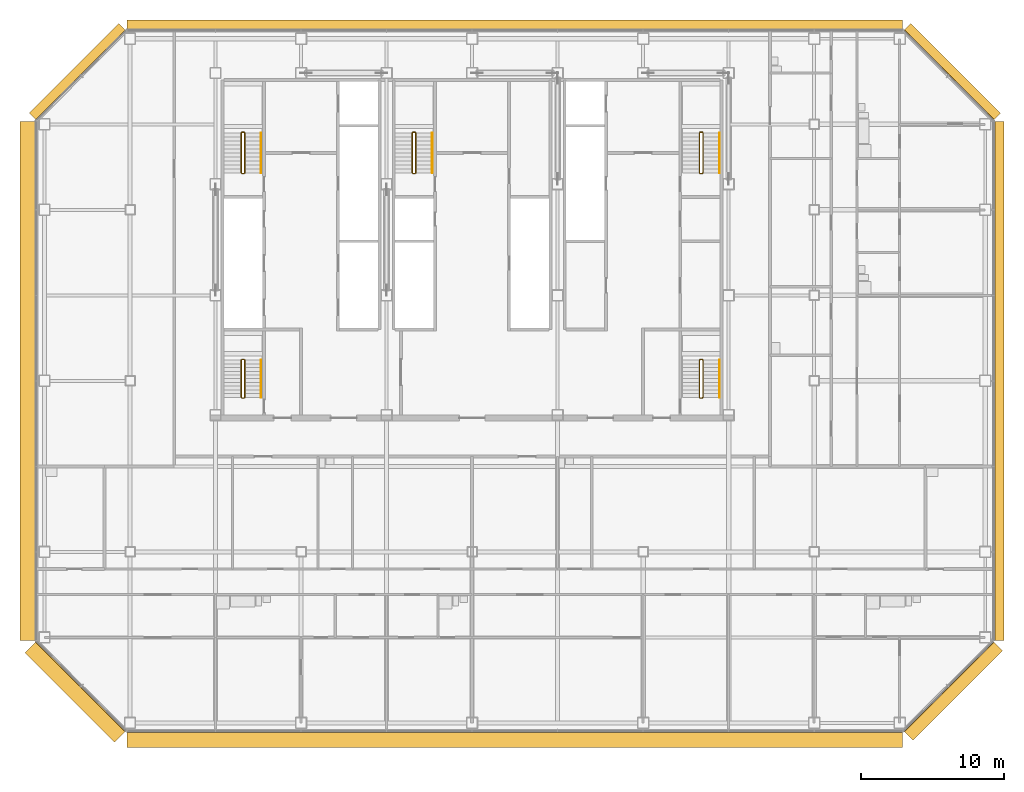
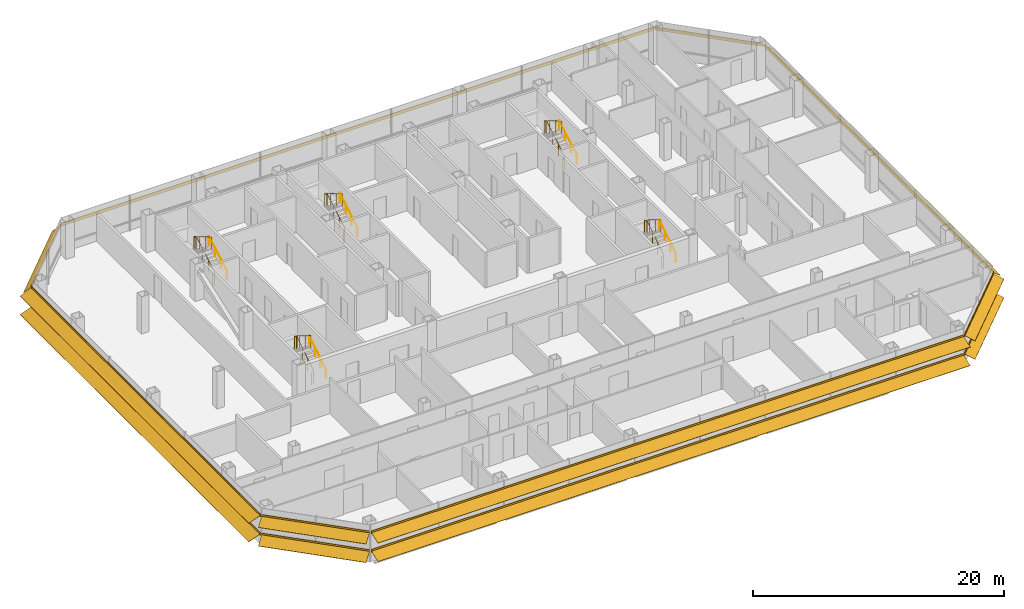
# One storey, part 24 of 25: 10 railings, 8 shading devices.
"""IFC4 building model written with IfcOpenShell, lengths in metres."""

from ifc_helpers import new_model, si_unit, direction, frame, origin, origin_2d, place, context, subcontext, project, spatial, polyline, circle, outline, composite_profile, extrude, material, type_object, element, save


model = new_model("IFC4")

# Units and contexts
model_context = context("Model", 3, precision=1e-05, world=origin(), true_north=direction((0.0, 1.0)))
body_context = subcontext(model_context, "Body", "Model", "MODEL_VIEW")
ifc_project = project(units=[si_unit("LENGTHUNIT", "METRE"), si_unit("AREAUNIT", "SQUARE_METRE"), si_unit("VOLUMEUNIT", "CUBIC_METRE"), si_unit("PLANEANGLEUNIT", "RADIAN"), si_unit("MASSUNIT", "GRAM", prefix="KILO")], contexts=[model_context])

# Site, building, storey
site_placement = place(None, origin())
site = spatial("IfcSite", under=ifc_project, at=site_placement, CompositionType="ELEMENT")
building_placement = place(site_placement, origin())
building = spatial("IfcBuilding", under=site, at=building_placement, Name="Sorahane Residences", CompositionType="ELEMENT")
storey_placement = place(building_placement, frame((0.0, 0.0, 143.800048828125)))
storey = spatial("IfcBuildingStorey", under=building, at=storey_placement, Name="L32", CompositionType="ELEMENT", Elevation=143.800048828125)

# Shading devices
ifc_material_1 = material(Name="Terracotta anodised aluminium", Category="masonry")
shading_device_type_1 = type_object("IfcShadingDeviceType", Name="Louvre sunshade blade E terracotta aluminium 700", PredefinedType="JALOUSIE", material=ifc_material_1)
shading_device_1_placement = place(storey_placement, frame((60.60009765625, 5.801513671875, 2.699951171875), z_axis=(0.0, 1.0, 0.0), x_axis=(-1.0, 0.0, 0.0)))
element("IfcShadingDevice", 1, at=shading_device_1_placement, inside=storey, type_object=shading_device_type_1, Name="Louvre sunshade blade bank E L32 E1", PredefinedType="JALOUSIE", context=body_context, shape_type="SweptSolid", body=[
    extrude(outline(polyline([(-0.719970703125, -0.49365234375), (-0.719970703125, -0.523681640625), (-0.080078125, -0.05859375), (-0.080078125, -0.14990234375), (-0.02001953125, -0.14990234375), (-0.02001953125, -0.014892578125), (-0.02001953125, 0.014892578125), (-0.02001953125, 0.14990234375), (-0.080078125, 0.14990234375), (-0.080078125, -0.028564453125), (-0.719970703125, -0.49365234375)])), origin(), (0.0, 0.0, 1.0), 36.39697265625),
])
ifc_material_2 = material(Name="Terracotta anodised aluminium", Category="masonry")
shading_device_type_2 = type_object("IfcShadingDeviceType", Name="Louvre sunshade blade N terracotta aluminium 700", PredefinedType="JALOUSIE", material=ifc_material_2)
shading_device_2_placement = place(storey_placement, frame((54.198486328125, 48.60009765625, 2.699951171875), z_axis=(-1.0, 0.0, 0.0), x_axis=(0.0, -1.0, 0.0)))
element("IfcShadingDevice", 2, at=shading_device_2_placement, inside=storey, type_object=shading_device_type_2, Name="Louvre sunshade blade bank N L32 N1", PredefinedType="JALOUSIE", context=body_context, shape_type="SweptSolid", body=[
    extrude(outline(polyline([(-0.719970703125, -0.660888671875), (-0.719970703125, -0.69091796875), (-0.080078125, -0.072998046875), (-0.080078125, -0.14990234375), (-0.02001953125, -0.14990234375), (-0.02001953125, -0.014892578125), (-0.02001953125, 0.014892578125), (-0.02001953125, 0.14990234375), (-0.080078125, 0.14990234375), (-0.080078125, -0.04296875), (-0.719970703125, -0.660888671875)])), origin(), (0.0, 0.0, 1.0), 54.39697265625),
])
ifc_material_3 = material(Name="Terracotta anodised aluminium", Category="masonry")
shading_device_type_3 = type_object("IfcShadingDeviceType", Name="Louvre sunshade blade NE terracotta aluminium 700", PredefinedType="JALOUSIE", material=ifc_material_3)
shading_device_3_placement = place(storey_placement, frame((60.564697265625, 42.283935546875, 2.699951171875), z_axis=(-0.707106781187, 0.707106781187, 0.0), x_axis=(-0.707106781187, -0.707106781187, 0.0)))
element("IfcShadingDevice", 3, at=shading_device_3_placement, inside=storey, type_object=shading_device_type_3, Name="Louvre sunshade blade bank NE L32 NE1", PredefinedType="JALOUSIE", context=body_context, shape_type="SweptSolid", body=[
    extrude(outline(polyline([(-0.719970703125, -0.572509765625), (-0.719970703125, -0.602294921875), (-0.080078125, -0.065185546875), (-0.080078125, -0.14990234375), (-0.02001953125, -0.14990234375), (-0.02001953125, -0.014892578125), (-0.02001953125, 0.014892578125), (-0.02001953125, 0.14990234375), (-0.080078125, 0.14990234375), (-0.080078125, -0.035400390625), (-0.719970703125, -0.572509765625)])), origin(), (0.0, 0.0, 1.0), 8.88232421875),
])
ifc_material_4 = material(Name="Terracotta anodised aluminium", Category="masonry")
shading_device_type_4 = type_object("IfcShadingDeviceType", Name="Louvre sunshade blade NW terracotta aluminium 700", PredefinedType="JALOUSIE", material=ifc_material_4)
shading_device_4_placement = place(storey_placement, frame((-0.283935546875, 48.564697265625, 2.699951171875), z_axis=(-0.707106781187, -0.707106781187, 0.0), x_axis=(0.707106781187, -0.707106781187, 0.0)))
element("IfcShadingDevice", 4, at=shading_device_4_placement, inside=storey, type_object=shading_device_type_4, Name="Louvre sunshade blade bank NW L32 NW1", PredefinedType="JALOUSIE", context=body_context, shape_type="SweptSolid", body=[
    extrude(outline(polyline([(-0.719970703125, -0.660888671875), (-0.719970703125, -0.69091796875), (-0.080078125, -0.072998046875), (-0.080078125, -0.14990234375), (-0.02001953125, -0.14990234375), (-0.02001953125, -0.014892578125), (-0.02001953125, 0.014892578125), (-0.02001953125, 0.14990234375), (-0.080078125, 0.14990234375), (-0.080078125, -0.04296875), (-0.719970703125, -0.660888671875)])), origin(), (0.0, 0.0, 1.0), 8.88232421875),
])
ifc_material_5 = material(Name="Terracotta anodised aluminium", Category="masonry")
shading_device_type_5 = type_object("IfcShadingDeviceType", Name="Louvre sunshade blade S terracotta aluminium 1100", PredefinedType="JALOUSIE", material=ifc_material_5)
shading_device_5_placement = place(storey_placement, frame((-0.198486328125, -0.60009765625, 0.89990234375), z_axis=(1.0, 0.0, 0.0), x_axis=(0.0, 1.0, 0.0)))
element("IfcShadingDevice", 5, at=shading_device_5_placement, inside=storey, type_object=shading_device_type_5, Name="Louvre sunshade blade bank S L32 S1", PredefinedType="JALOUSIE", context=body_context, shape_type="SweptSolid", body=[
    extrude(composite_profile([outline(polyline([(-1.1201171875, -0.385498046875), (-1.1201171875, -0.415283203125), (-0.080078125, -0.036865234375), (-0.080078125, -0.14990234375), (-0.02001953125, -0.14990234375), (-0.02001953125, -0.014892578125), (-0.02001953125, 0.014892578125), (-0.02001953125, 0.14990234375), (-0.080078125, 0.14990234375), (-0.080078125, -0.0068359375), (-1.1201171875, -0.385498046875)])), outline(polyline([(-1.1201171875, 1.41455078125), (-1.1201171875, 1.384521484375), (-0.080078125, 1.76318359375), (-0.080078125, 1.64990234375), (-0.02001953125, 1.64990234375), (-0.02001953125, 1.784912109375), (-0.02001953125, 1.81494140625), (-0.02001953125, 1.949951171875), (-0.080078125, 1.949951171875), (-0.080078125, 1.793212890625), (-1.1201171875, 1.41455078125)]))]), origin(), (0.0, 0.0, 1.0), 54.39697265625),
])
ifc_material_6 = material(Name="Terracotta anodised aluminium", Category="masonry")
shading_device_type_6 = type_object("IfcShadingDeviceType", Name="Louvre sunshade blade SE terracotta aluminium 900", PredefinedType="JALOUSIE", material=ifc_material_6)
shading_device_6_placement = place(storey_placement, frame((54.283935546875, -0.564697265625, 0.89990234375), z_axis=(0.707106781187, 0.707106781187, 0.0), x_axis=(-0.707106781187, 0.707106781187, 0.0)))
element("IfcShadingDevice", 6, at=shading_device_6_placement, inside=storey, type_object=shading_device_type_6, Name="Louvre sunshade blade bank SE L32 SE1", PredefinedType="JALOUSIE", context=body_context, shape_type="SweptSolid", body=[
    extrude(composite_profile([outline(polyline([(-0.919921875, -0.3486328125), (-0.919921875, -0.378662109375), (-0.080078125, -0.039306640625), (-0.080078125, -0.14990234375), (-0.02001953125, -0.14990234375), (-0.02001953125, -0.014892578125), (-0.02001953125, 0.014892578125), (-0.02001953125, 0.14990234375), (-0.080078125, 0.14990234375), (-0.080078125, -0.00927734375), (-0.919921875, -0.3486328125)])), outline(polyline([(-0.919921875, 1.451416015625), (-0.919921875, 1.42138671875), (-0.080078125, 1.7607421875), (-0.080078125, 1.64990234375), (-0.02001953125, 1.64990234375), (-0.02001953125, 1.784912109375), (-0.02001953125, 1.81494140625), (-0.02001953125, 1.949951171875), (-0.080078125, 1.949951171875), (-0.080078125, 1.790771484375), (-0.919921875, 1.451416015625)]))]), origin(), (0.0, 0.0, 1.0), 8.88232421875),
])
ifc_material_7 = material(Name="Terracotta anodised aluminium", Category="masonry")
shading_device_type_7 = type_object("IfcShadingDeviceType", Name="Louvre sunshade blade SW terracotta aluminium 1100", PredefinedType="JALOUSIE", material=ifc_material_7)
shading_device_7_placement = place(storey_placement, frame((-6.564697265625, 5.716064453125, 0.89990234375), z_axis=(0.707106781187, -0.707106781187, 0.0), x_axis=(0.707106781187, 0.707106781187, 0.0)))
element("IfcShadingDevice", 7, at=shading_device_7_placement, inside=storey, type_object=shading_device_type_7, Name="Louvre sunshade blade bank SW L32 SW1", PredefinedType="JALOUSIE", context=body_context, shape_type="SweptSolid", body=[
    extrude(composite_profile([outline(polyline([(-1.1201171875, -0.385498046875), (-1.1201171875, -0.415283203125), (-0.080078125, -0.036865234375), (-0.080078125, -0.14990234375), (-0.02001953125, -0.14990234375), (-0.02001953125, -0.014892578125), (-0.02001953125, 0.014892578125), (-0.02001953125, 0.14990234375), (-0.080078125, 0.14990234375), (-0.080078125, -0.0068359375), (-1.1201171875, -0.385498046875)])), outline(polyline([(-1.1201171875, 1.41455078125), (-1.1201171875, 1.384521484375), (-0.080078125, 1.76318359375), (-0.080078125, 1.64990234375), (-0.02001953125, 1.64990234375), (-0.02001953125, 1.784912109375), (-0.02001953125, 1.81494140625), (-0.02001953125, 1.949951171875), (-0.080078125, 1.949951171875), (-0.080078125, 1.793212890625), (-1.1201171875, 1.41455078125)]))]), origin(), (0.0, 0.0, 1.0), 8.88232421875),
])
ifc_material_8 = material(Name="Terracotta anodised aluminium", Category="masonry")
shading_device_type_8 = type_object("IfcShadingDeviceType", Name="Louvre sunshade blade W terracotta aluminium 1100", PredefinedType="JALOUSIE", material=ifc_material_8)
shading_device_8_placement = place(storey_placement, frame((-6.60009765625, 42.198486328125, 0.89990234375), z_axis=(0.0, -1.0, 0.0), x_axis=(1.0, 0.0, 0.0)))
element("IfcShadingDevice", 8, at=shading_device_8_placement, inside=storey, type_object=shading_device_type_8, Name="Louvre sunshade blade bank W L32 W1", PredefinedType="JALOUSIE", context=body_context, shape_type="SweptSolid", body=[
    extrude(composite_profile([outline(polyline([(-1.1201171875, -0.385498046875), (-1.1201171875, -0.415283203125), (-0.080078125, -0.036865234375), (-0.080078125, -0.14990234375), (-0.02001953125, -0.14990234375), (-0.02001953125, -0.014892578125), (-0.02001953125, 0.014892578125), (-0.02001953125, 0.14990234375), (-0.080078125, 0.14990234375), (-0.080078125, -0.0068359375), (-1.1201171875, -0.385498046875)])), outline(polyline([(-1.1201171875, 1.41455078125), (-1.1201171875, 1.384521484375), (-0.080078125, 1.76318359375), (-0.080078125, 1.64990234375), (-0.02001953125, 1.64990234375), (-0.02001953125, 1.784912109375), (-0.02001953125, 1.81494140625), (-0.02001953125, 1.949951171875), (-0.080078125, 1.949951171875), (-0.080078125, 1.793212890625), (-1.1201171875, 1.41455078125)]))]), origin(), (0.0, 0.0, 1.0), 36.39697265625),
])

# Railings
ifc_material_9 = material(Name="Steel Q355B", Category="steel")
railing_type_1 = type_object("IfcRailingType", Name="Stair guard 1200 Steel Q355B", PredefinedType="GUARDRAIL", material=ifc_material_9)
railing_1_placement = place(storey_placement, frame((7.85009765625, 38.550048828125, 0.0)))
element("IfcRailing", 9, at=railing_1_placement, inside=storey, type_object=railing_type_1, Name="L32 S1 stair guard 1", PredefinedType="GUARDRAIL", context=body_context, shape_type="SweptSolid", body=[
    extrude(circle(Radius=0.02392578125, at=origin_2d()), frame((0.0, 0.0, 1.17578125), z_axis=(1.0, 0.0, 0.0), x_axis=(0.0, 1.0, 0.0)), (0.0, 0.0, 1.0), 0.14990234375),
    extrude(circle(Radius=0.02392578125, at=origin_2d()), frame((0.14990234375, 0.0, 1.17578125), z_axis=(0.280808744504, 0.280808744504, 0.917765164963), x_axis=(-0.707106781187, 0.707106781187, 0.0)), (0.0, 0.0, 1.0), 0.17822265625),
    extrude(circle(Radius=0.02392578125, at=origin_2d()), frame((0.199951171875, 0.050048828125, 1.33935546875), z_axis=(0.0, 0.863341702679, 0.504619762213), x_axis=(-1.0, 0.0, 0.0)), (0.0, 0.0, 1.0), 3.242919921875),
    extrude(circle(Radius=0.02392578125, at=origin_2d()), frame((0.199951171875, 2.849853515625, 2.97607421875), z_axis=(-0.707106781187, 0.707106781187, 0.0), x_axis=(-0.707106781187, -0.707106781187, 0.0)), (0.0, 0.0, 1.0), 0.07080078125),
    extrude(circle(Radius=0.02392578125, at=origin_2d()), frame((0.14990234375, 2.89990234375, 2.97607421875), z_axis=(-1.0, 0.0, 0.0), x_axis=(0.0, -1.0, 0.0)), (0.0, 0.0, 1.0), 0.14990234375),
    extrude(circle(Radius=0.02392578125, at=origin_2d()), frame((0.0, 2.89990234375, 2.97607421875), z_axis=(-0.280808744504, -0.280808744504, 0.917765164963), x_axis=(0.707106781187, -0.707106781187, 0.0)), (0.0, 0.0, 1.0), 0.17822265625),
    extrude(circle(Radius=0.02392578125, at=origin_2d()), frame((-0.050048828125, 2.849853515625, 3.1396484375), z_axis=(0.0, -0.863374499697, 0.504563646405), x_axis=(1.0, 0.0, 0.0)), (0.0, 0.0, 1.0), 3.242919921875),
    extrude(circle(Radius=0.02099609375, at=origin_2d()), origin(), (0.0, 0.0, 1.0), 1.15185546875),
    extrude(circle(Radius=0.02099609375, at=origin_2d()), frame((0.14990234375, 0.0, 0.0)), (0.0, 0.0, 1.0), 1.15185546875),
    extrude(circle(Radius=0.02099609375, at=origin_2d()), frame((0.199951171875, 0.050048828125, 0.16357421875)), (0.0, 0.0, 1.0), 1.15185546875),
    extrude(circle(Radius=0.02099609375, at=origin_2d()), frame((0.199951171875, 0.9833984375, 0.708984375)), (0.0, 0.0, 1.0), 1.15185546875),
    extrude(circle(Radius=0.02099609375, at=origin_2d()), frame((0.199951171875, 1.91650390625, 1.254638671875)), (0.0, 0.0, 1.0), 1.15185546875),
    extrude(circle(Radius=0.02099609375, at=origin_2d()), frame((0.199951171875, 2.849853515625, 1.800048828125)), (0.0, 0.0, 1.0), 1.15185546875),
    extrude(circle(Radius=0.02099609375, at=origin_2d()), frame((0.14990234375, 2.89990234375, 1.800048828125)), (0.0, 0.0, 1.0), 1.15185546875),
    extrude(circle(Radius=0.02099609375, at=origin_2d()), frame((0.0, 2.89990234375, 1.800048828125)), (0.0, 0.0, 1.0), 1.15185546875),
    extrude(circle(Radius=0.02099609375, at=origin_2d()), frame((-0.050048828125, 2.849853515625, 1.963623046875)), (0.0, 0.0, 1.0), 1.15185546875),
    extrude(circle(Radius=0.02099609375, at=origin_2d()), frame((-0.050048828125, 1.91650390625, 2.509033203125)), (0.0, 0.0, 1.0), 1.15185546875),
    extrude(circle(Radius=0.02099609375, at=origin_2d()), frame((-0.050048828125, 0.9833984375, 3.054443359375)), (0.0, 0.0, 1.0), 1.15185546875),
    extrude(circle(Radius=0.02099609375, at=origin_2d()), frame((-0.050048828125, 0.050048828125, 3.599853515625)), (0.0, 0.0, 1.0), 1.15185546875),
])
railing_2_placement = place(storey_placement, frame((40.0, 38.550048828125, 0.0)))
element("IfcRailing", 10, at=railing_2_placement, inside=storey, type_object=railing_type_1, Name="L32 S2 stair guard 1", PredefinedType="GUARDRAIL", context=body_context, shape_type="SweptSolid", body=[
    extrude(circle(Radius=0.02392578125, at=origin_2d()), frame((0.0, 0.0, 1.17578125), z_axis=(1.0, 0.0, 0.0), x_axis=(0.0, 1.0, 0.0)), (0.0, 0.0, 1.0), 0.14990234375),
    extrude(circle(Radius=0.02392578125, at=origin_2d()), frame((0.14990234375, 0.0, 1.17578125), z_axis=(0.280808744504, 0.280808744504, 0.917765164963), x_axis=(-0.707106781187, 0.707106781187, 0.0)), (0.0, 0.0, 1.0), 0.17822265625),
    extrude(circle(Radius=0.02392578125, at=origin_2d()), frame((0.199951171875, 0.050048828125, 1.33935546875), z_axis=(0.0, 0.863341702679, 0.504619762213), x_axis=(-1.0, 0.0, 0.0)), (0.0, 0.0, 1.0), 3.242919921875),
    extrude(circle(Radius=0.02392578125, at=origin_2d()), frame((0.199951171875, 2.849853515625, 2.97607421875), z_axis=(-0.707106781187, 0.707106781187, 0.0), x_axis=(-0.707106781187, -0.707106781187, 0.0)), (0.0, 0.0, 1.0), 0.07080078125),
    extrude(circle(Radius=0.02392578125, at=origin_2d()), frame((0.14990234375, 2.89990234375, 2.97607421875), z_axis=(-1.0, 0.0, 0.0), x_axis=(0.0, -1.0, 0.0)), (0.0, 0.0, 1.0), 0.14990234375),
    extrude(circle(Radius=0.02392578125, at=origin_2d()), frame((0.0, 2.89990234375, 2.97607421875), z_axis=(-0.280808744504, -0.280808744504, 0.917765164963), x_axis=(0.707106781187, -0.707106781187, 0.0)), (0.0, 0.0, 1.0), 0.17822265625),
    extrude(circle(Radius=0.02392578125, at=origin_2d()), frame((-0.050048828125, 2.849853515625, 3.1396484375), z_axis=(0.0, -0.863374499697, 0.504563646405), x_axis=(1.0, 0.0, 0.0)), (0.0, 0.0, 1.0), 3.242919921875),
    extrude(circle(Radius=0.02099609375, at=origin_2d()), origin(), (0.0, 0.0, 1.0), 1.15185546875),
    extrude(circle(Radius=0.02099609375, at=origin_2d()), frame((0.14990234375, 0.0, 0.0)), (0.0, 0.0, 1.0), 1.15185546875),
    extrude(circle(Radius=0.02099609375, at=origin_2d()), frame((0.199951171875, 0.050048828125, 0.16357421875)), (0.0, 0.0, 1.0), 1.15185546875),
    extrude(circle(Radius=0.02099609375, at=origin_2d()), frame((0.199951171875, 0.9833984375, 0.708984375)), (0.0, 0.0, 1.0), 1.15185546875),
    extrude(circle(Radius=0.02099609375, at=origin_2d()), frame((0.199951171875, 1.91650390625, 1.254638671875)), (0.0, 0.0, 1.0), 1.15185546875),
    extrude(circle(Radius=0.02099609375, at=origin_2d()), frame((0.199951171875, 2.849853515625, 1.800048828125)), (0.0, 0.0, 1.0), 1.15185546875),
    extrude(circle(Radius=0.02099609375, at=origin_2d()), frame((0.14990234375, 2.89990234375, 1.800048828125)), (0.0, 0.0, 1.0), 1.15185546875),
    extrude(circle(Radius=0.02099609375, at=origin_2d()), frame((0.0, 2.89990234375, 1.800048828125)), (0.0, 0.0, 1.0), 1.15185546875),
    extrude(circle(Radius=0.02099609375, at=origin_2d()), frame((-0.050048828125, 2.849853515625, 1.963623046875)), (0.0, 0.0, 1.0), 1.15185546875),
    extrude(circle(Radius=0.02099609375, at=origin_2d()), frame((-0.050048828125, 1.91650390625, 2.509033203125)), (0.0, 0.0, 1.0), 1.15185546875),
    extrude(circle(Radius=0.02099609375, at=origin_2d()), frame((-0.050048828125, 0.9833984375, 3.054443359375)), (0.0, 0.0, 1.0), 1.15185546875),
    extrude(circle(Radius=0.02099609375, at=origin_2d()), frame((-0.050048828125, 0.050048828125, 3.599853515625)), (0.0, 0.0, 1.0), 1.15185546875),
])
railing_3_placement = place(storey_placement, frame((19.85009765625, 38.550048828125, 0.0)))
element("IfcRailing", 11, at=railing_3_placement, inside=storey, type_object=railing_type_1, Name="L32 S3 stair guard 1", PredefinedType="GUARDRAIL", context=body_context, shape_type="SweptSolid", body=[
    extrude(circle(Radius=0.02392578125, at=origin_2d()), frame((0.0, 0.0, 1.17578125), z_axis=(1.0, 0.0, 0.0), x_axis=(0.0, 1.0, 0.0)), (0.0, 0.0, 1.0), 0.14990234375),
    extrude(circle(Radius=0.02392578125, at=origin_2d()), frame((0.14990234375, 0.0, 1.17578125), z_axis=(0.280808744504, 0.280808744504, 0.917765164963), x_axis=(-0.707106781187, 0.707106781187, 0.0)), (0.0, 0.0, 1.0), 0.17822265625),
    extrude(circle(Radius=0.02392578125, at=origin_2d()), frame((0.199951171875, 0.050048828125, 1.33935546875), z_axis=(0.0, 0.863341702679, 0.504619762213), x_axis=(-1.0, 0.0, 0.0)), (0.0, 0.0, 1.0), 3.242919921875),
    extrude(circle(Radius=0.02392578125, at=origin_2d()), frame((0.199951171875, 2.849853515625, 2.97607421875), z_axis=(-0.707106781187, 0.707106781187, 0.0), x_axis=(-0.707106781187, -0.707106781187, 0.0)), (0.0, 0.0, 1.0), 0.07080078125),
    extrude(circle(Radius=0.02392578125, at=origin_2d()), frame((0.14990234375, 2.89990234375, 2.97607421875), z_axis=(-1.0, 0.0, 0.0), x_axis=(0.0, -1.0, 0.0)), (0.0, 0.0, 1.0), 0.14990234375),
    extrude(circle(Radius=0.02392578125, at=origin_2d()), frame((0.0, 2.89990234375, 2.97607421875), z_axis=(-0.280808744504, -0.280808744504, 0.917765164963), x_axis=(0.707106781187, -0.707106781187, 0.0)), (0.0, 0.0, 1.0), 0.17822265625),
    extrude(circle(Radius=0.02392578125, at=origin_2d()), frame((-0.050048828125, 2.849853515625, 3.1396484375), z_axis=(0.0, -0.863374499697, 0.504563646405), x_axis=(1.0, 0.0, 0.0)), (0.0, 0.0, 1.0), 3.242919921875),
    extrude(circle(Radius=0.02099609375, at=origin_2d()), origin(), (0.0, 0.0, 1.0), 1.15185546875),
    extrude(circle(Radius=0.02099609375, at=origin_2d()), frame((0.14990234375, 0.0, 0.0)), (0.0, 0.0, 1.0), 1.15185546875),
    extrude(circle(Radius=0.02099609375, at=origin_2d()), frame((0.199951171875, 0.050048828125, 0.16357421875)), (0.0, 0.0, 1.0), 1.15185546875),
    extrude(circle(Radius=0.02099609375, at=origin_2d()), frame((0.199951171875, 0.9833984375, 0.708984375)), (0.0, 0.0, 1.0), 1.15185546875),
    extrude(circle(Radius=0.02099609375, at=origin_2d()), frame((0.199951171875, 1.91650390625, 1.254638671875)), (0.0, 0.0, 1.0), 1.15185546875),
    extrude(circle(Radius=0.02099609375, at=origin_2d()), frame((0.199951171875, 2.849853515625, 1.800048828125)), (0.0, 0.0, 1.0), 1.15185546875),
    extrude(circle(Radius=0.02099609375, at=origin_2d()), frame((0.14990234375, 2.89990234375, 1.800048828125)), (0.0, 0.0, 1.0), 1.15185546875),
    extrude(circle(Radius=0.02099609375, at=origin_2d()), frame((0.0, 2.89990234375, 1.800048828125)), (0.0, 0.0, 1.0), 1.15185546875),
    extrude(circle(Radius=0.02099609375, at=origin_2d()), frame((-0.050048828125, 2.849853515625, 1.963623046875)), (0.0, 0.0, 1.0), 1.15185546875),
    extrude(circle(Radius=0.02099609375, at=origin_2d()), frame((-0.050048828125, 1.91650390625, 2.509033203125)), (0.0, 0.0, 1.0), 1.15185546875),
    extrude(circle(Radius=0.02099609375, at=origin_2d()), frame((-0.050048828125, 0.9833984375, 3.054443359375)), (0.0, 0.0, 1.0), 1.15185546875),
    extrude(circle(Radius=0.02099609375, at=origin_2d()), frame((-0.050048828125, 0.050048828125, 3.599853515625)), (0.0, 0.0, 1.0), 1.15185546875),
])
railing_4_placement = place(storey_placement, frame((7.85009765625, 22.800048828125, 0.0)))
element("IfcRailing", 12, at=railing_4_placement, inside=storey, type_object=railing_type_1, Name="L32 S4 stair guard 1", PredefinedType="GUARDRAIL", context=body_context, shape_type="SweptSolid", body=[
    extrude(circle(Radius=0.02392578125, at=origin_2d()), frame((0.0, 0.0, 1.17578125), z_axis=(1.0, 0.0, 0.0), x_axis=(0.0, 1.0, 0.0)), (0.0, 0.0, 1.0), 0.14990234375),
    extrude(circle(Radius=0.02392578125, at=origin_2d()), frame((0.14990234375, 0.0, 1.17578125), z_axis=(0.280808744504, 0.280808744504, 0.917765164963), x_axis=(-0.707106781187, 0.707106781187, 0.0)), (0.0, 0.0, 1.0), 0.17822265625),
    extrude(circle(Radius=0.02392578125, at=origin_2d()), frame((0.199951171875, 0.050048828125, 1.33935546875), z_axis=(0.0, 0.846301844409, 0.532703658848), x_axis=(-1.0, 0.0, 0.0)), (0.0, 0.0, 1.0), 3.072021484375),
    extrude(circle(Radius=0.02392578125, at=origin_2d()), frame((0.199951171875, 2.64990234375, 2.97607421875), z_axis=(-0.707106781187, 0.707106781187, 0.0), x_axis=(-0.707106781187, -0.707106781187, 0.0)), (0.0, 0.0, 1.0), 0.07080078125),
    extrude(circle(Radius=0.02392578125, at=origin_2d()), frame((0.14990234375, 2.699951171875, 2.97607421875), z_axis=(-1.0, 0.0, 0.0), x_axis=(0.0, -1.0, 0.0)), (0.0, 0.0, 1.0), 0.14990234375),
    extrude(circle(Radius=0.02392578125, at=origin_2d()), frame((0.0, 2.699951171875, 2.97607421875), z_axis=(-0.280808744504, -0.280808744504, 0.917765164963), x_axis=(0.707106781187, -0.707106781187, 0.0)), (0.0, 0.0, 1.0), 0.17822265625),
    extrude(circle(Radius=0.02392578125, at=origin_2d()), frame((-0.050048828125, 2.64990234375, 3.1396484375), z_axis=(0.0, -0.846337672412, 0.532646734952), x_axis=(1.0, 0.0, 0.0)), (0.0, 0.0, 1.0), 3.07177734375),
    extrude(circle(Radius=0.02099609375, at=origin_2d()), origin(), (0.0, 0.0, 1.0), 1.15185546875),
    extrude(circle(Radius=0.02099609375, at=origin_2d()), frame((0.14990234375, 0.0, 0.0)), (0.0, 0.0, 1.0), 1.15185546875),
    extrude(circle(Radius=0.02099609375, at=origin_2d()), frame((0.199951171875, 0.050048828125, 0.16357421875)), (0.0, 0.0, 1.0), 1.15185546875),
    extrude(circle(Radius=0.02099609375, at=origin_2d()), frame((0.199951171875, 0.916748046875, 0.708984375)), (0.0, 0.0, 1.0), 1.15185546875),
    extrude(circle(Radius=0.02099609375, at=origin_2d()), frame((0.199951171875, 1.783203125, 1.254638671875)), (0.0, 0.0, 1.0), 1.15185546875),
    extrude(circle(Radius=0.02099609375, at=origin_2d()), frame((0.199951171875, 2.64990234375, 1.800048828125)), (0.0, 0.0, 1.0), 1.15185546875),
    extrude(circle(Radius=0.02099609375, at=origin_2d()), frame((0.14990234375, 2.699951171875, 1.800048828125)), (0.0, 0.0, 1.0), 1.15185546875),
    extrude(circle(Radius=0.02099609375, at=origin_2d()), frame((0.0, 2.699951171875, 1.800048828125)), (0.0, 0.0, 1.0), 1.15185546875),
    extrude(circle(Radius=0.02099609375, at=origin_2d()), frame((-0.050048828125, 2.64990234375, 1.963623046875)), (0.0, 0.0, 1.0), 1.15185546875),
    extrude(circle(Radius=0.02099609375, at=origin_2d()), frame((-0.050048828125, 1.783203125, 2.509033203125)), (0.0, 0.0, 1.0), 1.15185546875),
    extrude(circle(Radius=0.02099609375, at=origin_2d()), frame((-0.050048828125, 0.916748046875, 3.054443359375)), (0.0, 0.0, 1.0), 1.15185546875),
    extrude(circle(Radius=0.02099609375, at=origin_2d()), frame((-0.050048828125, 0.050048828125, 3.599853515625)), (0.0, 0.0, 1.0), 1.15185546875),
])
railing_5_placement = place(storey_placement, frame((40.0, 22.800048828125, 0.0)))
element("IfcRailing", 13, at=railing_5_placement, inside=storey, type_object=railing_type_1, Name="L32 S5 stair guard 1", PredefinedType="GUARDRAIL", context=body_context, shape_type="SweptSolid", body=[
    extrude(circle(Radius=0.02392578125, at=origin_2d()), frame((0.0, 0.0, 1.17578125), z_axis=(1.0, 0.0, 0.0), x_axis=(0.0, 1.0, 0.0)), (0.0, 0.0, 1.0), 0.14990234375),
    extrude(circle(Radius=0.02392578125, at=origin_2d()), frame((0.14990234375, 0.0, 1.17578125), z_axis=(0.280808744504, 0.280808744504, 0.917765164963), x_axis=(-0.707106781187, 0.707106781187, 0.0)), (0.0, 0.0, 1.0), 0.17822265625),
    extrude(circle(Radius=0.02392578125, at=origin_2d()), frame((0.199951171875, 0.050048828125, 1.33935546875), z_axis=(0.0, 0.846301844409, 0.532703658848), x_axis=(-1.0, 0.0, 0.0)), (0.0, 0.0, 1.0), 3.072021484375),
    extrude(circle(Radius=0.02392578125, at=origin_2d()), frame((0.199951171875, 2.64990234375, 2.97607421875), z_axis=(-0.707106781187, 0.707106781187, 0.0), x_axis=(-0.707106781187, -0.707106781187, 0.0)), (0.0, 0.0, 1.0), 0.07080078125),
    extrude(circle(Radius=0.02392578125, at=origin_2d()), frame((0.14990234375, 2.699951171875, 2.97607421875), z_axis=(-1.0, 0.0, 0.0), x_axis=(0.0, -1.0, 0.0)), (0.0, 0.0, 1.0), 0.14990234375),
    extrude(circle(Radius=0.02392578125, at=origin_2d()), frame((0.0, 2.699951171875, 2.97607421875), z_axis=(-0.280808744504, -0.280808744504, 0.917765164963), x_axis=(0.707106781187, -0.707106781187, 0.0)), (0.0, 0.0, 1.0), 0.17822265625),
    extrude(circle(Radius=0.02392578125, at=origin_2d()), frame((-0.050048828125, 2.64990234375, 3.1396484375), z_axis=(0.0, -0.846337672412, 0.532646734952), x_axis=(1.0, 0.0, 0.0)), (0.0, 0.0, 1.0), 3.07177734375),
    extrude(circle(Radius=0.02099609375, at=origin_2d()), origin(), (0.0, 0.0, 1.0), 1.15185546875),
    extrude(circle(Radius=0.02099609375, at=origin_2d()), frame((0.14990234375, 0.0, 0.0)), (0.0, 0.0, 1.0), 1.15185546875),
    extrude(circle(Radius=0.02099609375, at=origin_2d()), frame((0.199951171875, 0.050048828125, 0.16357421875)), (0.0, 0.0, 1.0), 1.15185546875),
    extrude(circle(Radius=0.02099609375, at=origin_2d()), frame((0.199951171875, 0.916748046875, 0.708984375)), (0.0, 0.0, 1.0), 1.15185546875),
    extrude(circle(Radius=0.02099609375, at=origin_2d()), frame((0.199951171875, 1.783203125, 1.254638671875)), (0.0, 0.0, 1.0), 1.15185546875),
    extrude(circle(Radius=0.02099609375, at=origin_2d()), frame((0.199951171875, 2.64990234375, 1.800048828125)), (0.0, 0.0, 1.0), 1.15185546875),
    extrude(circle(Radius=0.02099609375, at=origin_2d()), frame((0.14990234375, 2.699951171875, 1.800048828125)), (0.0, 0.0, 1.0), 1.15185546875),
    extrude(circle(Radius=0.02099609375, at=origin_2d()), frame((0.0, 2.699951171875, 1.800048828125)), (0.0, 0.0, 1.0), 1.15185546875),
    extrude(circle(Radius=0.02099609375, at=origin_2d()), frame((-0.050048828125, 2.64990234375, 1.963623046875)), (0.0, 0.0, 1.0), 1.15185546875),
    extrude(circle(Radius=0.02099609375, at=origin_2d()), frame((-0.050048828125, 1.783203125, 2.509033203125)), (0.0, 0.0, 1.0), 1.15185546875),
    extrude(circle(Radius=0.02099609375, at=origin_2d()), frame((-0.050048828125, 0.916748046875, 3.054443359375)), (0.0, 0.0, 1.0), 1.15185546875),
    extrude(circle(Radius=0.02099609375, at=origin_2d()), frame((-0.050048828125, 0.050048828125, 3.599853515625)), (0.0, 0.0, 1.0), 1.15185546875),
])
ifc_material_10 = material(Name="Steel Q355B", Category="steel")
railing_type_2 = type_object("IfcRailingType", Name="Stair handrail 900 Steel Q355B", PredefinedType="HANDRAIL", material=ifc_material_10)
for number, where, name in (
    (14, (9.199951171875, 38.60009765625, 0.16357421875), "L32 S1 stair handrail 1"),
    (15, (41.35009765625, 38.60009765625, 0.16357421875), "L32 S2 stair handrail 1"),
    (16, (21.199951171875, 38.60009765625, 0.16357421875), "L32 S3 stair handrail 1"),
):
    element("IfcRailing", number, at=place(storey_placement, frame(where)), inside=storey, type_object=railing_type_2, Name=name, PredefinedType="HANDRAIL", context=body_context, shape_type="SweptSolid", body=[
        extrude(circle(Radius=0.02392578125, at=origin_2d()), frame((0.0, 0.0, 0.8759765625), z_axis=(0.0, 0.863341702679, 0.504619762213), x_axis=(-1.0, 0.0, 0.0)), (0.0, 0.0, 1.0), 3.242919921875),
        extrude(circle(Radius=0.02099609375, at=origin_2d()), origin(), (0.0, 0.0, 1.0), 0.851806640625),
        extrude(circle(Radius=0.02099609375, at=origin_2d()), frame((0.0, 0.933349609375, 0.54541015625)), (0.0, 0.0, 1.0), 0.851806640625),
        extrude(circle(Radius=0.02099609375, at=origin_2d()), frame((0.0, 1.866455078125, 1.091064453125)), (0.0, 0.0, 1.0), 0.851806640625),
        extrude(circle(Radius=0.02099609375, at=origin_2d()), frame((0.0, 2.7998046875, 1.636474609375)), (0.0, 0.0, 1.0), 0.851806640625),
    ])
for number, where, name in (
    (17, (9.199951171875, 22.85009765625, 0.16357421875), "L32 S4 stair handrail 1"),
    (18, (41.35009765625, 22.85009765625, 0.16357421875), "L32 S5 stair handrail 1"),
):
    element("IfcRailing", number, at=place(storey_placement, frame(where)), inside=storey, type_object=railing_type_2, Name=name, PredefinedType="HANDRAIL", context=body_context, shape_type="SweptSolid", body=[
        extrude(circle(Radius=0.02392578125, at=origin_2d()), frame((0.0, 0.0, 0.8759765625), z_axis=(0.0, 0.846301844409, 0.532703658848), x_axis=(-1.0, 0.0, 0.0)), (0.0, 0.0, 1.0), 3.072021484375),
        extrude(circle(Radius=0.02099609375, at=origin_2d()), origin(), (0.0, 0.0, 1.0), 0.851806640625),
        extrude(circle(Radius=0.02099609375, at=origin_2d()), frame((0.0, 0.86669921875, 0.54541015625)), (0.0, 0.0, 1.0), 0.851806640625),
        extrude(circle(Radius=0.02099609375, at=origin_2d()), frame((0.0, 1.733154296875, 1.091064453125)), (0.0, 0.0, 1.0), 0.851806640625),
        extrude(circle(Radius=0.02099609375, at=origin_2d()), frame((0.0, 2.599853515625, 1.636474609375)), (0.0, 0.0, 1.0), 0.851806640625),
    ])

save(model, "model.ifc")
